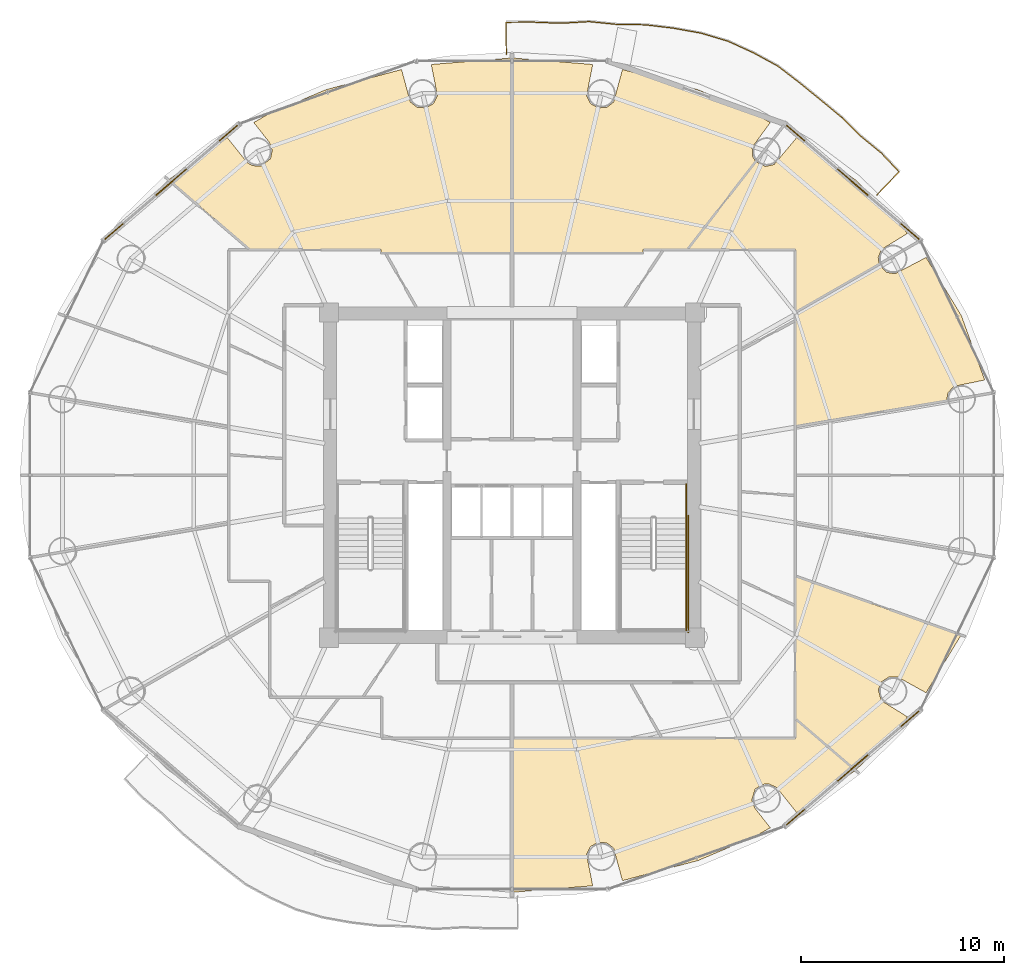
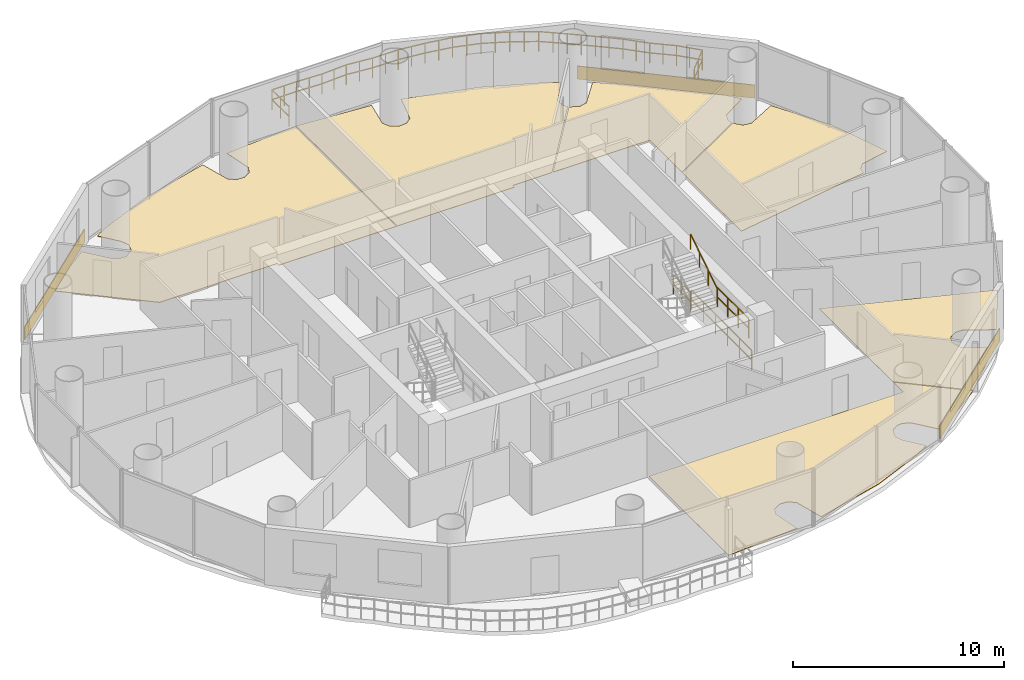
# One storey, part 26 of 26: 9 coverings, 5 railings.
"""IFC4 building model written with IfcOpenShell, lengths in metres."""

from ifc_helpers import new_model, si_unit, direction, frame, origin, origin_2d, place, context, subcontext, project, spatial, polyline, rectangle, outline, extrude, source, transform, mapped, material, layer, layer_set, type_object, element, save


model = new_model("IFC4")

# Units and contexts
model_context = context("Model", 3, precision=1e-05, world=origin(), true_north=direction((-0.2419218956, 0.970295726276)))
body_context = subcontext(model_context, "Body", "Model", "MODEL_VIEW")
ifc_project = project(units=[si_unit("LENGTHUNIT", "METRE"), si_unit("AREAUNIT", "SQUARE_METRE"), si_unit("VOLUMEUNIT", "CUBIC_METRE"), si_unit("PLANEANGLEUNIT", "RADIAN"), si_unit("MASSUNIT", "GRAM", prefix="KILO")], contexts=[model_context])

# Site, building, storey
site_placement = place(None, origin())
site = spatial("IfcSite", under=ifc_project, at=site_placement, CompositionType="ELEMENT")
building_placement = place(site_placement, origin())
building = spatial("IfcBuilding", under=site, at=building_placement, Name="Cobrevalo Terracotta Tower", CompositionType="ELEMENT")
storey_placement = place(building_placement, frame((0.0, 0.0, 167.800048828125)))
storey = spatial("IfcBuildingStorey", under=building, at=storey_placement, Name="L44", CompositionType="ELEMENT", Elevation=167.800048828125)

# Railing
ifc_material_1 = material(Name="Laminated structural glass and stainless steel", Category="steel")
railing_type_1 = type_object("IfcRailingType", Name="Balcony lobe structural glass & terracotta-cap balustrade 1180 mm", PredefinedType="BALUSTRADE", material=ifc_material_1)
railing_1_placement = place(storey_placement, frame((55.939453125, 40.572021484375, 0.0)))
element("IfcRailing", 1, at=railing_1_placement, inside=storey, type_object=railing_type_1, Name="L44 spiralling balcony lobe balustrade 1", PredefinedType="BALUSTRADE", context=body_context, shape_type="SweptSolid", body=[
    extrude(rectangle(XDim=0.048095703125, YDim=0.048095703125, at=origin_2d()), frame((0.0, 0.0, 1.15576171875), z_axis=(0.693680102527, 0.720283218851, 0.0), x_axis=(-0.720283218851, 0.693680102527, 0.0)), (0.0, 0.0, 1.0), 1.587646484375),
    extrude(rectangle(XDim=0.048095703125, YDim=0.048095703125, at=origin_2d()), frame((0.0, 0.0, 0.58984375), z_axis=(0.693680102527, 0.720283218851, 0.0), x_axis=(-0.720283218851, 0.693680102527, 0.0)), (0.0, 0.0, 1.0), 1.587646484375),
    extrude(rectangle(XDim=0.048095703125, YDim=0.048095703125, at=origin_2d()), frame((1.101318359375, 1.1435546875, 1.15576171875), z_axis=(-0.685036073088, 0.728509147896, 0.0), x_axis=(-0.728509147896, -0.685036073088, 0.0)), (0.0, 0.0, 1.0), 1.27490234375),
    extrude(rectangle(XDim=0.048095703125, YDim=0.048095703125, at=origin_2d()), frame((1.101318359375, 1.1435546875, 0.58984375), z_axis=(-0.685036073088, 0.728509147896, 0.0), x_axis=(-0.728509147896, -0.685036073088, 0.0)), (0.0, 0.0, 1.0), 1.27490234375),
    extrude(rectangle(XDim=0.048095703125, YDim=0.048095703125, at=origin_2d()), frame((0.22802734375, 2.072265625, 1.15576171875), z_axis=(-0.774217794215, 0.632919273779, 0.0), x_axis=(-0.632919273779, -0.774217794215, 0.0)), (0.0, 0.0, 1.0), 1.294189453125),
    extrude(rectangle(XDim=0.048095703125, YDim=0.048095703125, at=origin_2d()), frame((0.22802734375, 2.072265625, 0.58984375), z_axis=(-0.774217794215, 0.632919273779, 0.0), x_axis=(-0.632919273779, -0.774217794215, 0.0)), (0.0, 0.0, 1.0), 1.294189453125),
    extrude(rectangle(XDim=0.048095703125, YDim=0.048095703125, at=origin_2d()), frame((-0.77392578125, 2.891357421875, 1.15576171875), z_axis=(-0.71118115519, 0.703008794044, 0.0), x_axis=(-0.703008794044, -0.71118115519, 0.0)), (0.0, 0.0, 1.0), 1.314453125),
    extrude(rectangle(XDim=0.048095703125, YDim=0.048095703125, at=origin_2d()), frame((-0.77392578125, 2.891357421875, 0.58984375), z_axis=(-0.71118115519, 0.703008794044, 0.0), x_axis=(-0.703008794044, -0.71118115519, 0.0)), (0.0, 0.0, 1.0), 1.314453125),
    extrude(rectangle(XDim=0.048095703125, YDim=0.048095703125, at=origin_2d()), frame((-1.708740234375, 3.8154296875, 1.15576171875), z_axis=(-0.770047450071, 0.637986617915, 0.0), x_axis=(-0.637986617915, -0.770047450071, 0.0)), (0.0, 0.0, 1.0), 1.32373046875),
    extrude(rectangle(XDim=0.048095703125, YDim=0.048095703125, at=origin_2d()), frame((-1.708740234375, 3.8154296875, 0.58984375), z_axis=(-0.770047450071, 0.637986617915, 0.0), x_axis=(-0.637986617915, -0.770047450071, 0.0)), (0.0, 0.0, 1.0), 1.32373046875),
    extrude(rectangle(XDim=0.048095703125, YDim=0.048095703125, at=origin_2d()), frame((-2.72802734375, 4.659912109375, 1.15576171875), z_axis=(-0.775699695819, 0.631102196087, 0.0), x_axis=(-0.631102196087, -0.775699695819, 0.0)), (0.0, 0.0, 1.0), 1.3525390625),
    extrude(rectangle(XDim=0.048095703125, YDim=0.048095703125, at=origin_2d()), frame((-2.72802734375, 4.659912109375, 0.58984375), z_axis=(-0.775699695819, 0.631102196087, 0.0), x_axis=(-0.631102196087, -0.775699695819, 0.0)), (0.0, 0.0, 1.0), 1.3525390625),
    extrude(rectangle(XDim=0.048095703125, YDim=0.048095703125, at=origin_2d()), frame((-3.777099609375, 5.513427734375, 1.15576171875), z_axis=(-0.792211823562, 0.610246201634, 0.0), x_axis=(-0.610246201634, -0.792211823562, 0.0)), (0.0, 0.0, 1.0), 1.36572265625),
    extrude(rectangle(XDim=0.048095703125, YDim=0.048095703125, at=origin_2d()), frame((-3.777099609375, 5.513427734375, 0.58984375), z_axis=(-0.792211823562, 0.610246201634, 0.0), x_axis=(-0.610246201634, -0.792211823562, 0.0)), (0.0, 0.0, 1.0), 1.36572265625),
    extrude(rectangle(XDim=0.048095703125, YDim=0.048095703125, at=origin_2d()), frame((-4.859130859375, 6.346923828125, 1.15576171875), z_axis=(-0.878438116586, 0.477856124088, 0.0), x_axis=(-0.477856124088, -0.878438116586, 0.0)), (0.0, 0.0, 1.0), 1.374267578125),
    extrude(rectangle(XDim=0.048095703125, YDim=0.048095703125, at=origin_2d()), frame((-4.859130859375, 6.346923828125, 0.58984375), z_axis=(-0.878438116586, 0.477856124088, 0.0), x_axis=(-0.477856124088, -0.878438116586, 0.0)), (0.0, 0.0, 1.0), 1.374267578125),
    extrude(rectangle(XDim=0.048095703125, YDim=0.048095703125, at=origin_2d()), frame((-6.06640625, 7.003662109375, 1.15576171875), z_axis=(-0.909928352047, 0.414765468838, 0.0), x_axis=(-0.414765468838, -0.909928352047, 0.0)), (0.0, 0.0, 1.0), 1.375732421875),
    extrude(rectangle(XDim=0.048095703125, YDim=0.048095703125, at=origin_2d()), frame((-6.06640625, 7.003662109375, 0.58984375), z_axis=(-0.909928352047, 0.414765468838, 0.0), x_axis=(-0.414765468838, -0.909928352047, 0.0)), (0.0, 0.0, 1.0), 1.375732421875),
    extrude(rectangle(XDim=0.048095703125, YDim=0.048095703125, at=origin_2d()), frame((-7.318115234375, 7.57421875, 1.15576171875), z_axis=(-0.95857678515, 0.28483424473, 0.0), x_axis=(-0.28483424473, -0.95857678515, 0.0)), (0.0, 0.0, 1.0), 1.381591796875),
    extrude(rectangle(XDim=0.048095703125, YDim=0.048095703125, at=origin_2d()), frame((-7.318115234375, 7.57421875, 0.58984375), z_axis=(-0.95857678515, 0.28483424473, 0.0), x_axis=(-0.28483424473, -0.95857678515, 0.0)), (0.0, 0.0, 1.0), 1.381591796875),
    extrude(rectangle(XDim=0.048095703125, YDim=0.048095703125, at=origin_2d()), frame((-8.642578125, 7.9677734375, 1.15576171875), z_axis=(-0.984207784836, 0.177017050784, 0.0), x_axis=(-0.177017050784, -0.984207784836, 0.0)), (0.0, 0.0, 1.0), 1.3916015625),
    extrude(rectangle(XDim=0.048095703125, YDim=0.048095703125, at=origin_2d()), frame((-8.642578125, 7.9677734375, 0.58984375), z_axis=(-0.984207784836, 0.177017050784, 0.0), x_axis=(-0.177017050784, -0.984207784836, 0.0)), (0.0, 0.0, 1.0), 1.3916015625),
    extrude(rectangle(XDim=0.048095703125, YDim=0.048095703125, at=origin_2d()), frame((-10.01220703125, 8.214111328125, 1.15576171875), z_axis=(-0.992951750593, 0.118519285328, 0.0), x_axis=(-0.118519285328, -0.992951750593, 0.0)), (0.0, 0.0, 1.0), 1.38427734375),
    extrude(rectangle(XDim=0.048095703125, YDim=0.048095703125, at=origin_2d()), frame((-10.01220703125, 8.214111328125, 0.58984375), z_axis=(-0.992951750593, 0.118519285328, 0.0), x_axis=(-0.118519285328, -0.992951750593, 0.0)), (0.0, 0.0, 1.0), 1.38427734375),
    extrude(rectangle(XDim=0.048095703125, YDim=0.048095703125, at=origin_2d()), frame((-11.38671875, 8.378173828125, 1.15576171875), z_axis=(-0.999907070249, 0.013632713071, 0.0), x_axis=(-0.013632713071, -0.999907070249, 0.0)), (0.0, 0.0, 1.0), 1.39697265625),
    extrude(rectangle(XDim=0.048095703125, YDim=0.048095703125, at=origin_2d()), frame((-11.38671875, 8.378173828125, 0.58984375), z_axis=(-0.999907070249, 0.013632713071, 0.0), x_axis=(-0.013632713071, -0.999907070249, 0.0)), (0.0, 0.0, 1.0), 1.39697265625),
    extrude(rectangle(XDim=0.048095703125, YDim=0.048095703125, at=origin_2d()), frame((-12.783447265625, 8.397216796875, 1.15576171875), z_axis=(-0.994900158895, 0.100864631218, 0.0), x_axis=(-0.100864631218, -0.994900158895, 0.0)), (0.0, 0.0, 1.0), 1.36767578125),
    extrude(rectangle(XDim=0.048095703125, YDim=0.048095703125, at=origin_2d()), frame((-12.783447265625, 8.397216796875, 0.58984375), z_axis=(-0.994900158895, 0.100864631218, 0.0), x_axis=(-0.100864631218, -0.994900158895, 0.0)), (0.0, 0.0, 1.0), 1.36767578125),
    extrude(rectangle(XDim=0.048095703125, YDim=0.048095703125, at=origin_2d()), frame((-14.14404296875, 8.53515625, 1.15576171875), z_axis=(-0.998312618867, -0.058068192763, 0.0), x_axis=(0.058068192763, -0.998312618867, 0.0)), (0.0, 0.0, 1.0), 1.379150390625),
    extrude(rectangle(XDim=0.048095703125, YDim=0.048095703125, at=origin_2d()), frame((-14.14404296875, 8.53515625, 0.58984375), z_axis=(-0.998312618867, -0.058068192763, 0.0), x_axis=(0.058068192763, -0.998312618867, 0.0)), (0.0, 0.0, 1.0), 1.379150390625),
    extrude(rectangle(XDim=0.048095703125, YDim=0.048095703125, at=origin_2d()), frame((-15.520751953125, 8.455078125, 1.15576171875), z_axis=(-0.999288251405, 0.037722547689, 0.0), x_axis=(-0.037722547689, -0.999288251405, 0.0)), (0.0, 0.0, 1.0), 1.359130859375),
    extrude(rectangle(XDim=0.048095703125, YDim=0.048095703125, at=origin_2d()), frame((-15.520751953125, 8.455078125, 0.58984375), z_axis=(-0.999288251405, 0.037722547689, 0.0), x_axis=(-0.037722547689, -0.999288251405, 0.0)), (0.0, 0.0, 1.0), 1.359130859375),
    extrude(rectangle(XDim=0.048095703125, YDim=0.048095703125, at=origin_2d()), frame((-16.87890625, 8.50634765625, 1.15576171875), z_axis=(-0.999994746409, -0.003241474056, 0.0), x_axis=(0.003241474056, -0.999994746409, 0.0)), (0.0, 0.0, 1.0), 1.355712890625),
    extrude(rectangle(XDim=0.048095703125, YDim=0.048095703125, at=origin_2d()), frame((-16.87890625, 8.50634765625, 0.58984375), z_axis=(-0.999994746409, -0.003241474056, 0.0), x_axis=(0.003241474056, -0.999994746409, 0.0)), (0.0, 0.0, 1.0), 1.355712890625),
    extrude(rectangle(XDim=0.048095703125, YDim=0.048095703125, at=origin_2d()), frame((-18.234619140625, 8.501953125, 1.15576171875), z_axis=(0.010044308616, -0.99994955466, 0.0), x_axis=(0.99994955466, 0.010044308616, 0.0)), (0.0, 0.0, 1.0), 1.579833984375),
    extrude(rectangle(XDim=0.048095703125, YDim=0.048095703125, at=origin_2d()), frame((-18.234619140625, 8.501953125, 0.58984375), z_axis=(0.010044308616, -0.99994955466, 0.0), x_axis=(0.99994955466, 0.010044308616, 0.0)), (0.0, 0.0, 1.0), 1.579833984375),
    extrude(rectangle(XDim=0.0419921875, YDim=0.0419921875, at=origin_2d()), origin(), (0.0, 0.0, 1.0), 1.1318359375),
    extrude(rectangle(XDim=0.0419921875, YDim=0.0419921875, at=origin_2d()), frame((0.55078125, 0.57177734375, 0.0)), (0.0, 0.0, 1.0), 1.1318359375),
    extrude(rectangle(XDim=0.0419921875, YDim=0.0419921875, at=origin_2d()), frame((1.101318359375, 1.1435546875, 0.0)), (0.0, 0.0, 1.0), 1.1318359375),
    extrude(rectangle(XDim=0.0419921875, YDim=0.0419921875, at=origin_2d()), frame((0.66455078125, 1.60791015625, 0.0)), (0.0, 0.0, 1.0), 1.1318359375),
    extrude(rectangle(XDim=0.0419921875, YDim=0.0419921875, at=origin_2d()), frame((0.22802734375, 2.072265625, 0.0)), (0.0, 0.0, 1.0), 1.1318359375),
    extrude(rectangle(XDim=0.0419921875, YDim=0.0419921875, at=origin_2d()), frame((-0.27294921875, 2.48193359375, 0.0)), (0.0, 0.0, 1.0), 1.1318359375),
    extrude(rectangle(XDim=0.0419921875, YDim=0.0419921875, at=origin_2d()), frame((-0.77392578125, 2.891357421875, 0.0)), (0.0, 0.0, 1.0), 1.1318359375),
    extrude(rectangle(XDim=0.0419921875, YDim=0.0419921875, at=origin_2d()), frame((-1.2412109375, 3.353515625, 0.0)), (0.0, 0.0, 1.0), 1.1318359375),
    extrude(rectangle(XDim=0.0419921875, YDim=0.0419921875, at=origin_2d()), frame((-1.708740234375, 3.8154296875, 0.0)), (0.0, 0.0, 1.0), 1.1318359375),
    extrude(rectangle(XDim=0.0419921875, YDim=0.0419921875, at=origin_2d()), frame((-2.21826171875, 4.23779296875, 0.0)), (0.0, 0.0, 1.0), 1.1318359375),
    extrude(rectangle(XDim=0.0419921875, YDim=0.0419921875, at=origin_2d()), frame((-2.72802734375, 4.659912109375, 0.0)), (0.0, 0.0, 1.0), 1.1318359375),
    extrude(rectangle(XDim=0.0419921875, YDim=0.0419921875, at=origin_2d()), frame((-3.25244140625, 5.086669921875, 0.0)), (0.0, 0.0, 1.0), 1.1318359375),
    extrude(rectangle(XDim=0.0419921875, YDim=0.0419921875, at=origin_2d()), frame((-3.777099609375, 5.513427734375, 0.0)), (0.0, 0.0, 1.0), 1.1318359375),
    extrude(rectangle(XDim=0.0419921875, YDim=0.0419921875, at=origin_2d()), frame((-4.318115234375, 5.93017578125, 0.0)), (0.0, 0.0, 1.0), 1.1318359375),
    extrude(rectangle(XDim=0.0419921875, YDim=0.0419921875, at=origin_2d()), frame((-4.859130859375, 6.346923828125, 0.0)), (0.0, 0.0, 1.0), 1.1318359375),
    extrude(rectangle(XDim=0.0419921875, YDim=0.0419921875, at=origin_2d()), frame((-5.462890625, 6.67529296875, 0.0)), (0.0, 0.0, 1.0), 1.1318359375),
    extrude(rectangle(XDim=0.0419921875, YDim=0.0419921875, at=origin_2d()), frame((-6.06640625, 7.003662109375, 0.0)), (0.0, 0.0, 1.0), 1.1318359375),
    extrude(rectangle(XDim=0.0419921875, YDim=0.0419921875, at=origin_2d()), frame((-6.6923828125, 7.2890625, 0.0)), (0.0, 0.0, 1.0), 1.1318359375),
    extrude(rectangle(XDim=0.0419921875, YDim=0.0419921875, at=origin_2d()), frame((-7.318115234375, 7.57421875, 0.0)), (0.0, 0.0, 1.0), 1.1318359375),
    extrude(rectangle(XDim=0.0419921875, YDim=0.0419921875, at=origin_2d()), frame((-7.98046875, 7.77099609375, 0.0)), (0.0, 0.0, 1.0), 1.1318359375),
    extrude(rectangle(XDim=0.0419921875, YDim=0.0419921875, at=origin_2d()), frame((-8.642578125, 7.9677734375, 0.0)), (0.0, 0.0, 1.0), 1.1318359375),
    extrude(rectangle(XDim=0.0419921875, YDim=0.0419921875, at=origin_2d()), frame((-9.327392578125, 8.0908203125, 0.0)), (0.0, 0.0, 1.0), 1.1318359375),
    extrude(rectangle(XDim=0.0419921875, YDim=0.0419921875, at=origin_2d()), frame((-10.01220703125, 8.214111328125, 0.0)), (0.0, 0.0, 1.0), 1.1318359375),
    extrude(rectangle(XDim=0.0419921875, YDim=0.0419921875, at=origin_2d()), frame((-10.699462890625, 8.296142578125, 0.0)), (0.0, 0.0, 1.0), 1.1318359375),
    extrude(rectangle(XDim=0.0419921875, YDim=0.0419921875, at=origin_2d()), frame((-11.38671875, 8.378173828125, 0.0)), (0.0, 0.0, 1.0), 1.1318359375),
    extrude(rectangle(XDim=0.0419921875, YDim=0.0419921875, at=origin_2d()), frame((-12.0849609375, 8.3876953125, 0.0)), (0.0, 0.0, 1.0), 1.1318359375),
    extrude(rectangle(XDim=0.0419921875, YDim=0.0419921875, at=origin_2d()), frame((-12.783447265625, 8.397216796875, 0.0)), (0.0, 0.0, 1.0), 1.1318359375),
    extrude(rectangle(XDim=0.0419921875, YDim=0.0419921875, at=origin_2d()), frame((-13.4638671875, 8.46630859375, 0.0)), (0.0, 0.0, 1.0), 1.1318359375),
    extrude(rectangle(XDim=0.0419921875, YDim=0.0419921875, at=origin_2d()), frame((-14.14404296875, 8.53515625, 0.0)), (0.0, 0.0, 1.0), 1.1318359375),
    extrude(rectangle(XDim=0.0419921875, YDim=0.0419921875, at=origin_2d()), frame((-14.83251953125, 8.4951171875, 0.0)), (0.0, 0.0, 1.0), 1.1318359375),
    extrude(rectangle(XDim=0.0419921875, YDim=0.0419921875, at=origin_2d()), frame((-15.520751953125, 8.455078125, 0.0)), (0.0, 0.0, 1.0), 1.1318359375),
    extrude(rectangle(XDim=0.0419921875, YDim=0.0419921875, at=origin_2d()), frame((-16.19970703125, 8.480712890625, 0.0)), (0.0, 0.0, 1.0), 1.1318359375),
    extrude(rectangle(XDim=0.0419921875, YDim=0.0419921875, at=origin_2d()), frame((-16.87890625, 8.50634765625, 0.0)), (0.0, 0.0, 1.0), 1.1318359375),
    extrude(rectangle(XDim=0.0419921875, YDim=0.0419921875, at=origin_2d()), frame((-17.556640625, 8.504150390625, 0.0)), (0.0, 0.0, 1.0), 1.1318359375),
    extrude(rectangle(XDim=0.0419921875, YDim=0.0419921875, at=origin_2d()), frame((-18.234619140625, 8.501953125, 0.0)), (0.0, 0.0, 1.0), 1.1318359375),
    extrude(rectangle(XDim=0.0419921875, YDim=0.0419921875, at=origin_2d()), frame((-18.2265625, 7.7119140625, 0.0)), (0.0, 0.0, 1.0), 1.1318359375),
    extrude(rectangle(XDim=0.0419921875, YDim=0.0419921875, at=origin_2d()), frame((-18.21875, 6.922119140625, 0.0)), (0.0, 0.0, 1.0), 1.1318359375),
])

# Coverings
ifc_material_2 = material(Name="Engineered Brazilian hardwood flooring", Category="wood")
ifc_layer_1 = layer(ifc_material_2, 0.028076171875)
ifc_layer_set_1 = layer_set([ifc_layer_1], Name="Engineered Brazilian hardwood flooring")
covering_type_1 = type_object("IfcCoveringType", Name="Engineered Hardwood Suite Flooring 28", PredefinedType="FLOORING", material=ifc_layer_set_1)
covering_1_placement = place(storey_placement, origin())
element("IfcCovering", 2, at=covering_1_placement, inside=storey, type_object=covering_type_1, Name="Flat L44A Penthouse Living and Dining Room floor finish", PredefinedType="FLOORING", context=body_context, shape_type="SweptSolid", body=[
    extrude(outline(polyline([(23.99755859375, 43.39990234375), (24.99072265625, 42.160400390625), (25.242431640625, 42.01904296875), (25.672119140625, 42.01025390625), (26.1171875, 42.3603515625), (26.209716796875, 42.780029296875), (26.053955078125, 43.179443359375), (25.295166015625, 44.143798828125), (26.038818359375, 44.5703125), (28.84521484375, 45.757568359375), (32.567138671875, 46.75), (32.99951171875, 45.150390625), (33.3408203125, 44.88916015625), (33.76953125, 44.861328125), (34.141357421875, 45.07666015625), (34.3310546875, 45.462158203125), (34.02880859375, 46.99951171875), (37.97998046875, 47.31884765625), (37.97998046875, 37.7451171875), (31.554931640625, 37.7451171875), (31.554931640625, 37.905029296875), (25.1103515625, 37.905029296875), (21.119873046875, 41.3349609375), (23.99755859375, 43.39990234375)])), origin(), (0.0, 0.0, 1.0), 0.030029296875),
])
covering_2_placement = place(storey_placement, origin())
element("IfcCovering", 3, at=covering_2_placement, inside=storey, type_object=covering_type_1, Name="Flat L44B Penthouse Living and Dining Room floor finish", PredefinedType="FLOORING", context=body_context, shape_type="SweptSolid", body=[
    extrude(outline(polyline([(52.00244140625, 10.2001953125), (51.00927734375, 11.439697265625), (50.61572265625, 11.6123046875), (50.327880859375, 11.58984375), (49.9658203125, 11.358642578125), (49.790283203125, 10.820068359375), (49.946044921875, 10.420654296875), (50.704833984375, 9.4560546875), (49.961181640625, 9.02978515625), (47.15478515625, 7.84228515625), (43.432861328125, 6.849853515625), (43.00048828125, 8.44970703125), (42.6591796875, 8.7109375), (42.23046875, 8.738525390625), (41.858642578125, 8.5234375), (41.6689453125, 8.1376953125), (41.97119140625, 6.6005859375), (38.02001953125, 6.28125), (38.02001953125, 13.844970703125), (51.955078125, 13.844970703125), (51.955078125, 14.779296875), (54.880126953125, 12.264892578125), (52.00244140625, 10.2001953125)])), origin(), (0.0, 0.0, 1.0), 0.030029296875),
])
covering_3_placement = place(storey_placement, origin())
element("IfcCovering", 4, at=covering_3_placement, inside=storey, type_object=covering_type_1, Name="Flat L44B Master Bedroom floor finish", PredefinedType="FLOORING", context=body_context, shape_type="SweptSolid", body=[
    extrude(outline(polyline([(58.367431640625, 16.09375), (56.982177734375, 16.863525390625), (56.552734375, 16.874267578125), (56.189697265625, 16.64453125), (56.01513671875, 16.251953125), (56.165771484375, 15.705810546875), (57.448486328125, 14.91357421875), (56.97802734375, 14.309326171875), (54.9111328125, 12.291015625), (51.955078125, 14.83203125), (51.955078125, 21.810546875), (60.081787109375, 18.917236328125), (58.367431640625, 16.09375)])), origin(), (0.0, 0.0, 1.0), 0.030029296875),
])
covering_4_placement = place(storey_placement, origin())
element("IfcCovering", 5, at=covering_4_placement, inside=storey, type_object=covering_type_1, Name="Flat L44B Penthouse Family Lounge floor finish", PredefinedType="FLOORING", context=body_context, shape_type="SweptSolid", body=[
    extrude(outline(polyline([(56.070068359375, 37.154541015625), (56.417236328125, 36.77783203125), (56.8408203125, 36.70458984375), (58.367431640625, 37.50634765625), (60.099609375, 34.651611328125), (61.251708984375, 31.478271484375), (59.7236328125, 31.1630859375), (59.44140625, 30.8388671875), (59.382568359375, 30.47607421875), (51.955078125, 29.2060546875), (51.955078125, 34.791259765625), (56.070068359375, 37.154541015625)])), origin(), (0.0, 0.0, 1.0), 0.030029296875),
])
covering_5_placement = place(storey_placement, origin())
element("IfcCovering", 6, at=covering_5_placement, inside=storey, type_object=covering_type_1, Name="Flat L44B Penthouse Family Lounge floor finish", PredefinedType="FLOORING", context=body_context, shape_type="SweptSolid", body=[
    extrude(outline(polyline([(46.658447265625, 37.905029296875), (50.002197265625, 42.20654296875), (50.470703125, 41.98486328125), (50.890380859375, 42.0771484375), (52.00244140625, 43.39990234375), (54.9150390625, 41.308837890625), (56.97802734375, 39.29052734375), (57.448486328125, 38.6865234375), (56.165771484375, 37.89404296875), (56.011474609375, 37.4931640625), (56.05615234375, 37.192626953125), (51.955078125, 34.83740234375), (51.955078125, 37.905029296875), (46.658447265625, 37.905029296875)])), origin(), (0.0, 0.0, 1.0), 0.030029296875),
])
covering_6_placement = place(storey_placement, origin())
element("IfcCovering", 7, at=covering_6_placement, inside=storey, type_object=covering_type_1, Name="Flat L44B Private Cinema Room floor finish", PredefinedType="FLOORING", context=body_context, shape_type="SweptSolid", body=[
    extrude(outline(polyline([(44.445068359375, 37.7451171875), (38.02001953125, 37.7451171875), (38.02001953125, 47.31884765625), (41.97119140625, 46.99951171875), (41.6689453125, 45.462158203125), (41.858642578125, 45.07666015625), (42.23046875, 44.861328125), (42.6591796875, 44.88916015625), (43.00048828125, 45.150390625), (43.432861328125, 46.75), (47.15478515625, 45.757568359375), (49.961181640625, 44.5703125), (50.704833984375, 44.143798828125), (49.815673828125, 42.9228515625), (49.824462890625, 42.4931640625), (49.97509765625, 42.236572265625), (46.607666015625, 37.905029296875), (44.445068359375, 37.905029296875), (44.445068359375, 37.7451171875)])), origin(), (0.0, 0.0, 1.0), 0.030029296875),
])

# Railings
ifc_material_3 = material(Name="Brushed stainless steel", Category="steel")
railing_type_2 = type_object("IfcRailingType", Name="Stainless Steel Stair Handrail 900", PredefinedType="HANDRAIL", material=ifc_material_3)
railing_2_placement = place(storey_placement, frame((46.574951171875, 22.179931640625, 1.97998046875)))
element("IfcRailing", 8, at=railing_2_placement, inside=storey, type_object=railing_type_2, Name="L44 ST-2 stair handrail 2", PredefinedType="HANDRAIL", context=body_context, shape_type="SweptSolid", body=[
    extrude(rectangle(XDim=0.048095703125, YDim=0.048095703125, at=origin_2d()), frame((0.0, 0.0, 0.8759765625), z_axis=(0.0, 0.841199657755, 0.540724639528), x_axis=(-1.0, 0.0, 0.0)), (0.0, 0.0, 1.0), 2.995849609375),
    extrude(rectangle(XDim=0.0419921875, YDim=0.0419921875, at=origin_2d()), origin(), (0.0, 0.0, 1.0), 0.851806640625),
    extrude(rectangle(XDim=0.0419921875, YDim=0.0419921875, at=origin_2d()), frame((0.0, 0.840087890625, 0.5400390625)), (0.0, 0.0, 1.0), 0.851806640625),
    extrude(rectangle(XDim=0.0419921875, YDim=0.0419921875, at=origin_2d()), frame((0.0, 1.679931640625, 1.079833984375)), (0.0, 0.0, 1.0), 0.851806640625),
    extrude(rectangle(XDim=0.0419921875, YDim=0.0419921875, at=origin_2d()), frame((0.0, 2.52001953125, 1.619873046875)), (0.0, 0.0, 1.0), 0.851806640625),
])
ifc_material_4 = material(Name="Painted galvanized steel", Category="steel")
railing_type_3 = type_object("IfcRailingType", Name="Stair Well Guard Balustrade 1150", PredefinedType="GUARDRAIL", material=ifc_material_4)
railing_3_placement = place(storey_placement, frame((46.574951171875, 22.179931640625, 1.800048828125)))
element("IfcRailing", 9, at=railing_3_placement, inside=storey, type_object=railing_type_3, Name="L44 ST-2 stair guard 4", PredefinedType="GUARDRAIL", context=body_context, shape_type="SweptSolid", body=[
    extrude(rectangle(XDim=0.048095703125, YDim=0.048095703125, at=origin_2d()), frame((0.0, 0.0, 1.1259765625), z_axis=(0.0, -1.0, 0.0), x_axis=(1.0, 0.0, 0.0)), (0.0, 0.0, 1.0), 3.0048828125),
    extrude(rectangle(XDim=0.048095703125, YDim=0.048095703125, at=origin_2d()), frame((0.0, 0.0, 0.574951171875), z_axis=(0.0, -1.0, 0.0), x_axis=(1.0, 0.0, 0.0)), (0.0, 0.0, 1.0), 3.0048828125),
    extrude(rectangle(XDim=0.0419921875, YDim=0.0419921875, at=origin_2d()), origin(), (0.0, 0.0, 1.0), 1.101806640625),
    extrude(rectangle(XDim=0.0419921875, YDim=0.0419921875, at=origin_2d()), frame((0.0, -1.001708984375, 0.0)), (0.0, 0.0, 1.0), 1.101806640625),
    extrude(rectangle(XDim=0.0419921875, YDim=0.0419921875, at=origin_2d()), frame((0.0, -2.003173828125, 0.0)), (0.0, 0.0, 1.0), 1.101806640625),
    extrude(rectangle(XDim=0.0419921875, YDim=0.0419921875, at=origin_2d()), frame((0.0, -3.0048828125, 0.0)), (0.0, 0.0, 1.0), 1.101806640625),
])
railing_4_placement = place(storey_placement, frame((46.574951171875, 26.35009765625, 0.0)))
element("IfcRailing", 10, at=railing_4_placement, inside=storey, type_object=railing_type_3, Name="L44 ST-2 stair guard 9", PredefinedType="GUARDRAIL", context=body_context, shape_type="SweptSolid", body=[
    extrude(rectangle(XDim=0.048095703125, YDim=0.048095703125, at=origin_2d()), frame((0.0, 0.0, 1.1259765625), z_axis=(0.0, -1.0, 0.0), x_axis=(1.0, 0.0, 0.0)), (0.0, 0.0, 1.0), 1.650146484375),
    extrude(rectangle(XDim=0.048095703125, YDim=0.048095703125, at=origin_2d()), frame((0.0, 0.0, 0.574951171875), z_axis=(0.0, -1.0, 0.0), x_axis=(1.0, 0.0, 0.0)), (0.0, 0.0, 1.0), 1.650146484375),
    extrude(rectangle(XDim=0.0419921875, YDim=0.0419921875, at=origin_2d()), origin(), (0.0, 0.0, 1.0), 1.101806640625),
    extrude(rectangle(XDim=0.0419921875, YDim=0.0419921875, at=origin_2d()), frame((0.0, -0.8251953125, 0.0)), (0.0, 0.0, 1.0), 1.101806640625),
    extrude(rectangle(XDim=0.0419921875, YDim=0.0419921875, at=origin_2d()), frame((0.0, -1.650146484375, 0.0)), (0.0, 0.0, 1.0), 1.101806640625),
])
railing_5_placement = place(storey_placement, frame((46.675048828125, 24.800048828125, 0.0)))
element("IfcRailing", 11, at=railing_5_placement, inside=storey, type_object=railing_type_3, Name="L44 ST-2 stair guard 11", PredefinedType="GUARDRAIL", context=body_context, shape_type="SweptSolid", body=[
    extrude(rectangle(XDim=0.048095703125, YDim=0.048095703125, at=origin_2d()), frame((0.0, 0.0, 1.1259765625), z_axis=(0.0, -1.0, 0.0), x_axis=(1.0, 0.0, 0.0)), (0.0, 0.0, 1.0), 5.72509765625),
    extrude(rectangle(XDim=0.048095703125, YDim=0.048095703125, at=origin_2d()), frame((0.0, 0.0, 0.574951171875), z_axis=(0.0, -1.0, 0.0), x_axis=(1.0, 0.0, 0.0)), (0.0, 0.0, 1.0), 5.72509765625),
    extrude(rectangle(XDim=0.0419921875, YDim=0.0419921875, at=origin_2d()), origin(), (0.0, 0.0, 1.0), 1.101806640625),
    extrude(rectangle(XDim=0.0419921875, YDim=0.0419921875, at=origin_2d()), frame((0.0, -1.14501953125, 0.0)), (0.0, 0.0, 1.0), 1.101806640625),
    extrude(rectangle(XDim=0.0419921875, YDim=0.0419921875, at=origin_2d()), frame((0.0, -2.2900390625, 0.0)), (0.0, 0.0, 1.0), 1.101806640625),
    extrude(rectangle(XDim=0.0419921875, YDim=0.0419921875, at=origin_2d()), frame((0.0, -3.43505859375, 0.0)), (0.0, 0.0, 1.0), 1.101806640625),
    extrude(rectangle(XDim=0.0419921875, YDim=0.0419921875, at=origin_2d()), frame((0.0, -4.580078125, 0.0)), (0.0, 0.0, 1.0), 1.101806640625),
    extrude(rectangle(XDim=0.0419921875, YDim=0.0419921875, at=origin_2d()), frame((0.0, -5.72509765625, 0.0)), (0.0, 0.0, 1.0), 1.101806640625),
])

# Coverings
ifc_material_5 = material(Name="Glazed terracotta facade cladding tile", Category="masonry")
ifc_layer_2 = layer(ifc_material_5, 0.044921875)
ifc_layer_set_2 = layer_set([ifc_layer_2], Name="Glazed terracotta facade cladding tile")
covering_type_2 = type_object("IfcCoveringType", Name="Architectural terracotta rainscreen spandrel cladding 45 mm", PredefinedType="CLADDING", material=ifc_layer_set_2)
shared_shape = source(origin(), body_context, "Body", "SweptSolid", [
    extrude(rectangle(XDim=8.59228515625, YDim=0.044921875, at=origin_2d()), origin(), (0.0, 0.0, 1.0), 0.760009765625),
])
for number, where, z_axis, x_axis, name in (
    (12, (54.762451171875, 41.204345703125, 0.0400390625), (0.0, 0.0, 1.0), (-0.758436996112, 0.651746363955, 0.0), "L44 terracotta spandrel cladding S02"),
    (13, (21.237548828125, 41.204345703125, 0.0400390625), (0.0, 0.0, 1.0), (-0.758436996112, -0.651746363955, 0.0), "L44 terracotta spandrel cladding S06"),
    (14, (54.762451171875, 12.3955078125, 0.0400390625), (0.0, 0.0, 1.0), (0.758436996112, 0.651746363955, 0.0), "L44 terracotta spandrel cladding S14"),
):
    element("IfcCovering", number, at=place(storey_placement, frame(where, z_axis=z_axis, x_axis=x_axis)), inside=storey, type_object=covering_type_2, Name=name, PredefinedType="CLADDING", context=body_context, shape_type="MappedRepresentation", body=[
        mapped(shared_shape, transform((0.0, 0.0, 0.0), scale=1.0)),
    ])

save(model, "model.ifc")
